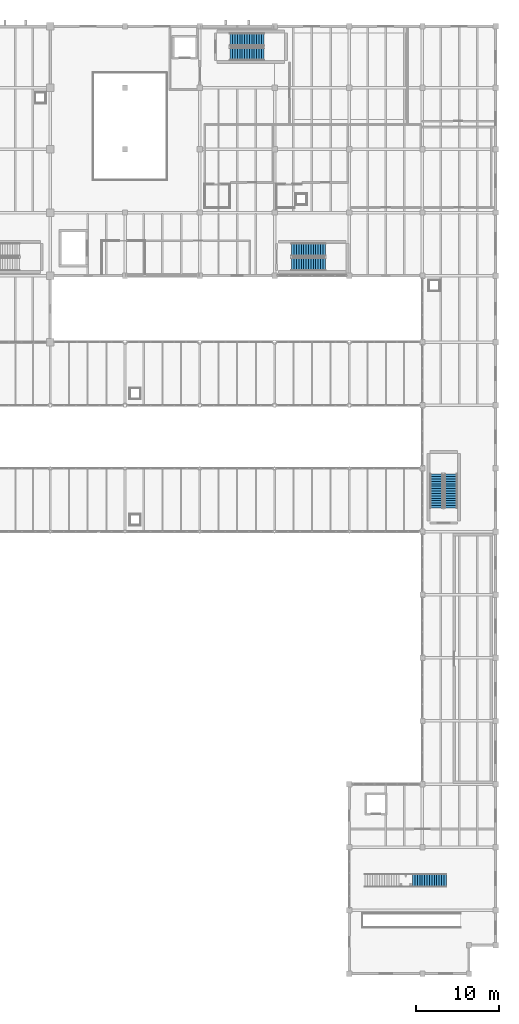
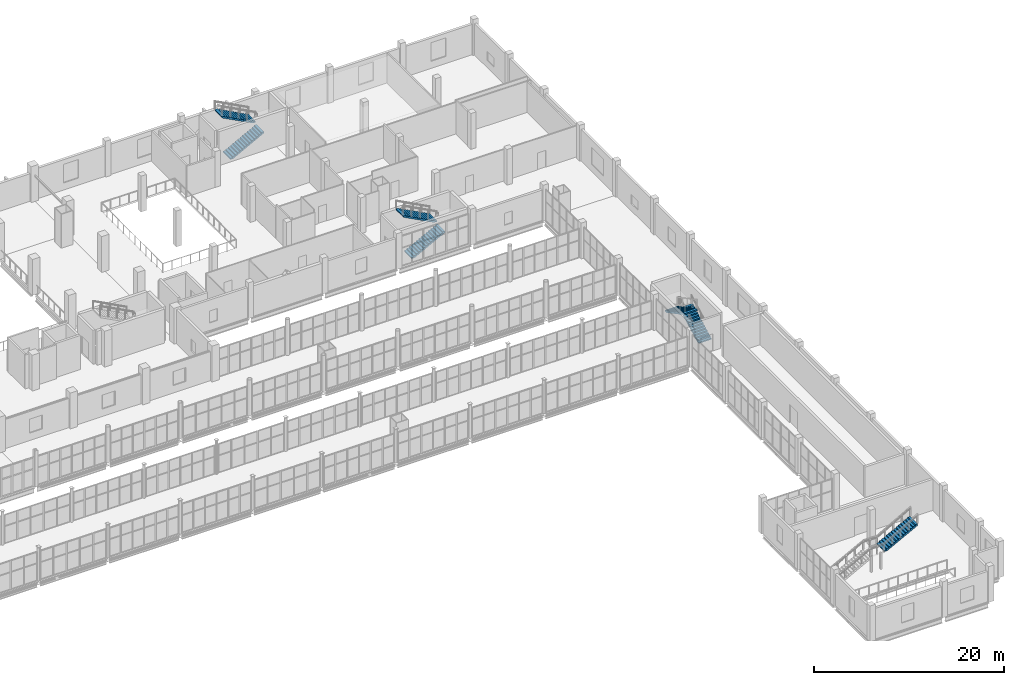
# One storey, part 160 of 172: 7 stair flights, 4 elements without a shape of their own.
"""IFC4 building model written with IfcOpenShell, lengths in metres."""

from ifc_helpers import new_model, si_unit, direction, frame, origin, place, context, subcontext, project, spatial, polyline, outline, extrude, material, layer, layer_set, type_object, element, aggregate, save


model = new_model("IFC4")

# Units and contexts
model_context = context("Model", 3, precision=1e-05, world=origin(), true_north=direction((0.0, 1.0)))
body_context = subcontext(model_context, "Body", "Model", "MODEL_VIEW")
ifc_project = project(units=[si_unit("LENGTHUNIT", "METRE"), si_unit("AREAUNIT", "SQUARE_METRE"), si_unit("VOLUMEUNIT", "CUBIC_METRE"), si_unit("PLANEANGLEUNIT", "RADIAN"), si_unit("MASSUNIT", "GRAM", prefix="KILO")], contexts=[model_context])

# Site, building, storey
site_placement = place(None, origin())
site = spatial("IfcSite", under=ifc_project, at=site_placement, CompositionType="ELEMENT")
building_placement = place(site_placement, origin())
building = spatial("IfcBuilding", under=site, at=building_placement, Name="Shengluoqiao Park Theatre", CompositionType="ELEMENT")
storey_placement = place(building_placement, frame((0.0, 0.0, 5.39990234375)))
storey = spatial("IfcBuildingStorey", under=building, at=storey_placement, Name="L01", CompositionType="ELEMENT", Elevation=5.39990234375)

# Stair, stair flights
ifc_material_1 = material(Name="Concrete C40", Category="concrete")
stair_type_1 = type_object("IfcStairType", Name="INT-STR-CORE", PredefinedType="HALF_TURN_STAIR", material=ifc_material_1)
stair_1_placement = place(storey_placement, origin())
stair_1 = element("IfcStair", 1, at=stair_1_placement, inside=storey, type_object=stair_type_1, Name="L01 Backstage and Workshop Escape Stair 06", PredefinedType="HALF_TURN_STAIR")
ifc_layer_1 = layer(ifc_material_1, 0.159912109375, Name="Concrete C40")
ifc_layer_set_1 = layer_set([ifc_layer_1], Name="Concrete C40")
stair_flight_type_1 = type_object("IfcStairFlightType", Name="INT-SFL-156", PredefinedType="STRAIGHT", material=ifc_layer_set_1)
stair_flight_1_placement = place(storey_placement, frame((134.050048828125, 110.679931640625, 0.0), z_axis=(0.0, 0.0, 1.0), x_axis=(1.0, 0.0, 0.0)))
stair_flight_1 = element("IfcStairFlight", 2, at=stair_flight_1_placement, type_object=stair_flight_type_1, Name="ST-06 flight 1", NumberOfRisers=15, NumberOfTreads=14, PredefinedType="STRAIGHT", RiserHeight=0.153333333, TreadLength=0.29, context=body_context, shape_type="SweptSolid", body=[
    extrude(outline(polyline([(0.0, 0.0), (0.0, 0.1533203125), (0.2900390625, 0.1533203125), (0.2900390625, 0.306640625), (0.580078125, 0.306640625), (0.580078125, 0.4599609375), (0.8701171875, 0.4599609375), (0.8701171875, 0.61328125), (1.159912109375, 0.61328125), (1.159912109375, 0.7666015625), (1.449951171875, 0.7666015625), (1.449951171875, 0.919921875), (1.739990234375, 0.919921875), (1.739990234375, 1.0732421875), (2.030029296875, 1.0732421875), (2.030029296875, 1.2265625), (2.320068359375, 1.2265625), (2.320068359375, 1.3798828125), (2.610107421875, 1.3798828125), (2.610107421875, 1.533447265625), (2.89990234375, 1.533447265625), (2.89990234375, 1.686767578125), (3.18994140625, 1.686767578125), (3.18994140625, 1.840087890625), (3.47998046875, 1.840087890625), (3.47998046875, 1.993408203125), (3.77001953125, 1.993408203125), (3.77001953125, 2.146728515625), (4.06005859375, 2.146728515625), (4.06005859375, 2.300048828125), (4.06005859375, 1.97705078125), (0.32080078125, 0.0), (0.0, 0.0)])), frame((0.0, 0.780029296875, 0.0), z_axis=(0.0, -1.0, 0.0), x_axis=(1.0, 0.0, 0.0)), (0.0, 0.0, 1.0), 1.56005859375),
])
stair_flight_2_placement = place(storey_placement, frame((138.110107421875, 112.419921875, 2.300048828125), z_axis=(0.0, 0.0, 1.0), x_axis=(-1.0, 0.0, 0.0)))
stair_flight_2 = element("IfcStairFlight", 3, at=stair_flight_2_placement, type_object=stair_flight_type_1, Name="ST-06 flight 2", NumberOfRisers=15, NumberOfTreads=14, PredefinedType="STRAIGHT", RiserHeight=0.153333333, TreadLength=0.29, context=body_context, shape_type="SweptSolid", body=[
    extrude(outline(polyline([(0.0, 0.0), (0.0, 0.1533203125), (0.2900390625, 0.1533203125), (0.2900390625, 0.306640625), (0.580078125, 0.306640625), (0.580078125, 0.4599609375), (0.8701171875, 0.4599609375), (0.8701171875, 0.61328125), (1.159912109375, 0.61328125), (1.159912109375, 0.7666015625), (1.449951171875, 0.7666015625), (1.449951171875, 0.919921875), (1.739990234375, 0.919921875), (1.739990234375, 1.0732421875), (2.030029296875, 1.0732421875), (2.030029296875, 1.2265625), (2.320068359375, 1.2265625), (2.320068359375, 1.3798828125), (2.610107421875, 1.3798828125), (2.610107421875, 1.533447265625), (2.89990234375, 1.533447265625), (2.89990234375, 1.686767578125), (3.18994140625, 1.686767578125), (3.18994140625, 1.840087890625), (3.47998046875, 1.840087890625), (3.47998046875, 1.993408203125), (3.77001953125, 1.993408203125), (3.77001953125, 2.146728515625), (4.06005859375, 2.146728515625), (4.06005859375, 2.300048828125), (4.06005859375, 1.97705078125), (0.32080078125, 0.0), (0.0, 0.0)])), frame((0.0, 0.780029296875, 0.0), z_axis=(0.0, -1.0, 0.0), x_axis=(1.0, 0.0, 0.0)), (0.0, 0.0, 1.0), 1.56005859375),
])
aggregate(stair_1, [stair_flight_1, stair_flight_2])

stair_2_placement = place(storey_placement, origin())
stair_2 = element("IfcStair", 4, at=stair_2_placement, inside=storey, type_object=stair_type_1, Name="L01 Upper Backstage Escape Stair 10", PredefinedType="HALF_TURN_STAIR")
stair_flight_3_placement = place(storey_placement, frame((141.449951171875, 85.3798828125, 0.0), z_axis=(0.0, 0.0, 1.0), x_axis=(1.0, 0.0, 0.0)))
stair_flight_3 = element("IfcStairFlight", 5, at=stair_flight_3_placement, type_object=stair_flight_type_1, Name="ST-10 flight 1", NumberOfRisers=15, NumberOfTreads=14, PredefinedType="STRAIGHT", RiserHeight=0.153333333, TreadLength=0.29, context=body_context, shape_type="SweptSolid", body=[
    extrude(outline(polyline([(0.0, 0.0), (0.0, 0.1533203125), (0.2900390625, 0.1533203125), (0.2900390625, 0.306640625), (0.580078125, 0.306640625), (0.580078125, 0.4599609375), (0.8701171875, 0.4599609375), (0.8701171875, 0.61328125), (1.159912109375, 0.61328125), (1.159912109375, 0.7666015625), (1.449951171875, 0.7666015625), (1.449951171875, 0.919921875), (1.739990234375, 0.919921875), (1.739990234375, 1.0732421875), (2.030029296875, 1.0732421875), (2.030029296875, 1.2265625), (2.320068359375, 1.2265625), (2.320068359375, 1.3798828125), (2.610107421875, 1.3798828125), (2.610107421875, 1.533447265625), (2.89990234375, 1.533447265625), (2.89990234375, 1.686767578125), (3.18994140625, 1.686767578125), (3.18994140625, 1.840087890625), (3.47998046875, 1.840087890625), (3.47998046875, 1.993408203125), (3.77001953125, 1.993408203125), (3.77001953125, 2.146728515625), (4.06005859375, 2.146728515625), (4.06005859375, 2.300048828125), (4.06005859375, 1.97705078125), (0.32080078125, 0.0), (0.0, 0.0)])), frame((0.0, 0.780029296875, 0.0), z_axis=(0.0, -1.0, 0.0), x_axis=(1.0, 0.0, 0.0)), (0.0, 0.0, 1.0), 1.56005859375),
])
stair_flight_4_placement = place(storey_placement, frame((145.510009765625, 87.1201171875, 2.300048828125), z_axis=(0.0, 0.0, 1.0), x_axis=(-1.0, 0.0, 0.0)))
stair_flight_4 = element("IfcStairFlight", 6, at=stair_flight_4_placement, type_object=stair_flight_type_1, Name="ST-10 flight 2", NumberOfRisers=15, NumberOfTreads=14, PredefinedType="STRAIGHT", RiserHeight=0.153333333, TreadLength=0.29, context=body_context, shape_type="SweptSolid", body=[
    extrude(outline(polyline([(0.0, 0.0), (0.0, 0.1533203125), (0.2900390625, 0.1533203125), (0.2900390625, 0.306640625), (0.580078125, 0.306640625), (0.580078125, 0.4599609375), (0.8701171875, 0.4599609375), (0.8701171875, 0.61328125), (1.159912109375, 0.61328125), (1.159912109375, 0.7666015625), (1.449951171875, 0.7666015625), (1.449951171875, 0.919921875), (1.739990234375, 0.919921875), (1.739990234375, 1.0732421875), (2.030029296875, 1.0732421875), (2.030029296875, 1.2265625), (2.320068359375, 1.2265625), (2.320068359375, 1.3798828125), (2.610107421875, 1.3798828125), (2.610107421875, 1.533447265625), (2.89990234375, 1.533447265625), (2.89990234375, 1.686767578125), (3.18994140625, 1.686767578125), (3.18994140625, 1.840087890625), (3.47998046875, 1.840087890625), (3.47998046875, 1.993408203125), (3.77001953125, 1.993408203125), (3.77001953125, 2.146728515625), (4.06005859375, 2.146728515625), (4.06005859375, 2.300048828125), (4.06005859375, 1.97705078125), (0.32080078125, 0.0), (0.0, 0.0)])), frame((0.0, 0.780029296875, 0.0), z_axis=(0.0, -1.0, 0.0), x_axis=(1.0, 0.0, 0.0)), (0.0, 0.0, 1.0), 1.56005859375),
])
aggregate(stair_2, [stair_flight_3, stair_flight_4])

stair_3_placement = place(storey_placement, origin())
stair_3 = element("IfcStair", 7, at=stair_3_placement, inside=storey, type_object=stair_type_1, Name="L01 East Artist Wing Escape Stair 12", PredefinedType="HALF_TURN_STAIR")
stair_flight_5_placement = place(storey_placement, frame((160.6201171875, 56.050048828125, 0.0), z_axis=(0.0, 0.0, 1.0), x_axis=(0.0, 1.0, 0.0)))
stair_flight_5 = element("IfcStairFlight", 8, at=stair_flight_5_placement, type_object=stair_flight_type_1, Name="ST-12 flight 1", NumberOfRisers=15, NumberOfTreads=14, PredefinedType="STRAIGHT", RiserHeight=0.153333333, TreadLength=0.29, context=body_context, shape_type="SweptSolid", body=[
    extrude(outline(polyline([(0.0, 0.0), (0.0, 0.1533203125), (0.2900390625, 0.1533203125), (0.2900390625, 0.306640625), (0.580078125, 0.306640625), (0.580078125, 0.4599609375), (0.8701171875, 0.4599609375), (0.8701171875, 0.61328125), (1.159912109375, 0.61328125), (1.159912109375, 0.7666015625), (1.449951171875, 0.7666015625), (1.449951171875, 0.919921875), (1.739990234375, 0.919921875), (1.739990234375, 1.0732421875), (2.030029296875, 1.0732421875), (2.030029296875, 1.2265625), (2.320068359375, 1.2265625), (2.320068359375, 1.3798828125), (2.610107421875, 1.3798828125), (2.610107421875, 1.533447265625), (2.89990234375, 1.533447265625), (2.89990234375, 1.686767578125), (3.18994140625, 1.686767578125), (3.18994140625, 1.840087890625), (3.47998046875, 1.840087890625), (3.47998046875, 1.993408203125), (3.77001953125, 1.993408203125), (3.77001953125, 2.146728515625), (4.06005859375, 2.146728515625), (4.06005859375, 2.300048828125), (4.06005859375, 1.97705078125), (0.32080078125, 0.0), (0.0, 0.0)])), frame((0.0, 0.780029296875, 0.0), z_axis=(0.0, -1.0, 0.0), x_axis=(1.0, 0.0, 0.0)), (0.0, 0.0, 1.0), 1.56005859375),
])
stair_flight_6_placement = place(storey_placement, frame((158.8798828125, 60.110107421875, 2.300048828125), z_axis=(0.0, 0.0, 1.0), x_axis=(0.0, -1.0, 0.0)))
stair_flight_6 = element("IfcStairFlight", 9, at=stair_flight_6_placement, type_object=stair_flight_type_1, Name="ST-12 flight 2", NumberOfRisers=15, NumberOfTreads=14, PredefinedType="STRAIGHT", RiserHeight=0.153333333, TreadLength=0.29, context=body_context, shape_type="SweptSolid", body=[
    extrude(outline(polyline([(0.0, 0.0), (0.0, 0.1533203125), (0.2900390625, 0.1533203125), (0.2900390625, 0.306640625), (0.580078125, 0.306640625), (0.580078125, 0.4599609375), (0.8701171875, 0.4599609375), (0.8701171875, 0.61328125), (1.159912109375, 0.61328125), (1.159912109375, 0.7666015625), (1.449951171875, 0.7666015625), (1.449951171875, 0.919921875), (1.739990234375, 0.919921875), (1.739990234375, 1.0732421875), (2.030029296875, 1.0732421875), (2.030029296875, 1.2265625), (2.320068359375, 1.2265625), (2.320068359375, 1.3798828125), (2.610107421875, 1.3798828125), (2.610107421875, 1.533447265625), (2.89990234375, 1.533447265625), (2.89990234375, 1.686767578125), (3.18994140625, 1.686767578125), (3.18994140625, 1.840087890625), (3.47998046875, 1.840087890625), (3.47998046875, 1.993408203125), (3.77001953125, 1.993408203125), (3.77001953125, 2.146728515625), (4.06005859375, 2.146728515625), (4.06005859375, 2.300048828125), (4.06005859375, 1.97705078125), (0.32080078125, 0.0), (0.0, 0.0)])), frame((0.0, 0.780029296875, 0.0), z_axis=(0.0, -1.0, 0.0), x_axis=(1.0, 0.0, 0.0)), (0.0, 0.0, 1.0), 1.56005859375),
])
aggregate(stair_3, [stair_flight_5, stair_flight_6])

# Stair, stair flight
ifc_material_2 = material(Name="Steel Q355", Category="steel")
stair_type_2 = type_object("IfcStairType", Name="INT-STR-ST-F160", PredefinedType="STRAIGHT_RUN_STAIR", material=ifc_material_2)
stair_4_placement = place(storey_placement, origin())
stair_4 = element("IfcStair", 10, at=stair_4_placement, inside=storey, type_object=stair_type_2, Name="East Artist Wing Stair 09 Upper", PredefinedType="STRAIGHT_RUN_STAIR")
ifc_layer_2 = layer(ifc_material_2, 0.159912109375, Name="Steel Q355")
ifc_layer_set_2 = layer_set([ifc_layer_2], Name="Steel Q355")
stair_flight_type_2 = type_object("IfcStairFlightType", Name="INT-SFL-160", PredefinedType="STRAIGHT", material=ifc_layer_set_2)
stair_flight_7_placement = place(storey_placement, frame((156.010009765625, 11.199951171875, 2.300048828125), z_axis=(0.0, 0.0, 1.0), x_axis=(1.0, 0.0, 0.0)))
stair_flight_7 = element("IfcStairFlight", 11, at=stair_flight_7_placement, type_object=stair_flight_type_2, Name="ST-09 flight 2", NumberOfRisers=15, NumberOfTreads=14, PredefinedType="STRAIGHT", RiserHeight=0.153333, TreadLength=0.29, context=body_context, shape_type="SweptSolid", body=[
    extrude(outline(polyline([(0.0, 0.0), (0.0, 0.1533203125), (0.2900390625, 0.1533203125), (0.2900390625, 0.306640625), (0.580078125, 0.306640625), (0.580078125, 0.4599609375), (0.8701171875, 0.4599609375), (0.8701171875, 0.61328125), (1.159912109375, 0.61328125), (1.159912109375, 0.7666015625), (1.449951171875, 0.7666015625), (1.449951171875, 0.919921875), (1.739990234375, 0.919921875), (1.739990234375, 1.0732421875), (2.030029296875, 1.0732421875), (2.030029296875, 1.2265625), (2.320068359375, 1.2265625), (2.320068359375, 1.3798828125), (2.610107421875, 1.3798828125), (2.610107421875, 1.533447265625), (2.89990234375, 1.533447265625), (2.89990234375, 1.686767578125), (3.18994140625, 1.686767578125), (3.18994140625, 1.840087890625), (3.47998046875, 1.840087890625), (3.47998046875, 1.993408203125), (3.77001953125, 1.993408203125), (3.77001953125, 2.146728515625), (4.06005859375, 2.146728515625), (4.06005859375, 2.300048828125), (4.06005859375, 1.954345703125), (0.363525390625, 0.0), (0.0, 0.0)])), frame((0.0, 0.800048828125, 0.0), z_axis=(0.0, -1.0, 0.0), x_axis=(1.0, 0.0, 0.0)), (0.0, 0.0, 1.0), 1.60009765625),
])
aggregate(stair_4, [stair_flight_7])

save(model, "model.ifc")
